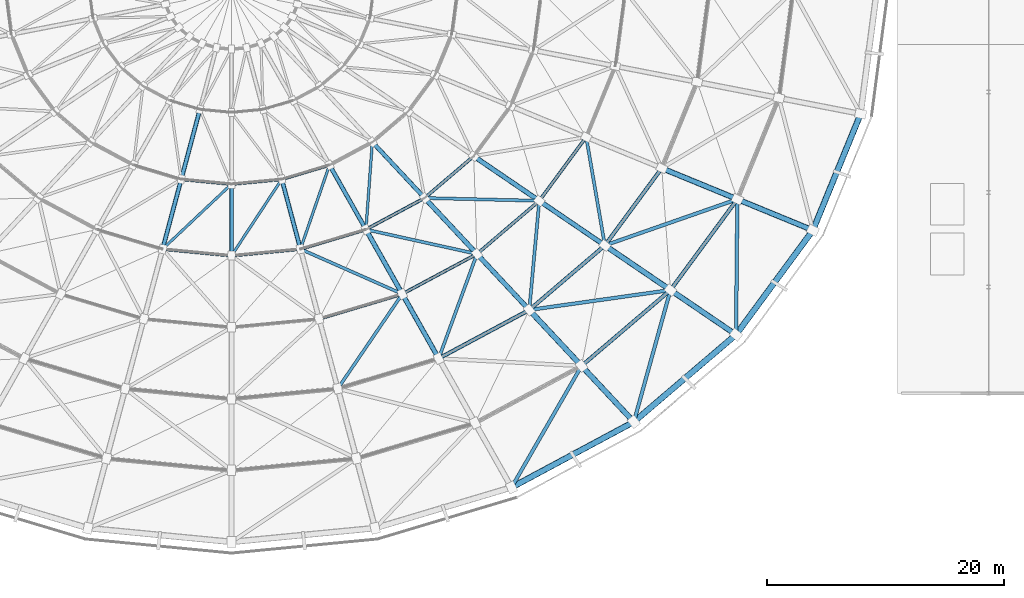
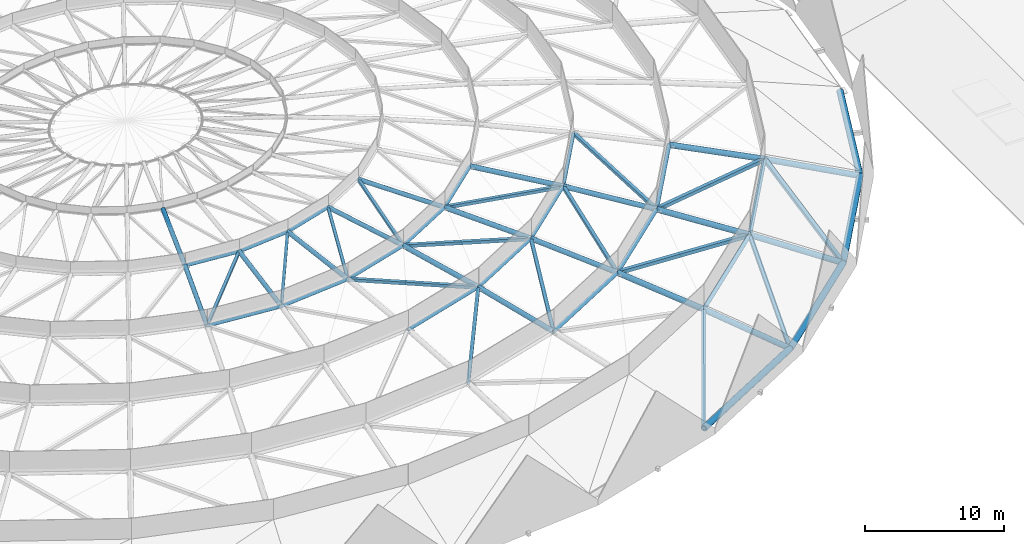
# One storey, part 9 of 27: 51 members, 4 beams.
"""IFC4 building model written with IfcOpenShell, lengths in metres."""

from ifc_helpers import new_model, si_unit, direction, frame, origin, origin_2d, place, context, subcontext, project, spatial, hollow_rectangle, hollow_circle, extrude, material, material_profile, profile_set, type_object, element, save


model = new_model("IFC4")

# Units and contexts
model_context = context("Model", 3, precision=1e-05, world=origin(), true_north=direction((0.0, 1.0)))
body_context = subcontext(model_context, "Body", "Model", "MODEL_VIEW")
ifc_project = project(units=[si_unit("LENGTHUNIT", "METRE"), si_unit("AREAUNIT", "SQUARE_METRE"), si_unit("VOLUMEUNIT", "CUBIC_METRE"), si_unit("PLANEANGLEUNIT", "RADIAN"), si_unit("MASSUNIT", "GRAM", prefix="KILO")], contexts=[model_context])

# Site, building, storey
site_placement = place(None, origin())
site = spatial("IfcSite", under=ifc_project, at=site_placement, CompositionType="ELEMENT")
building_placement = place(site_placement, origin())
building = spatial("IfcBuilding", under=site, at=building_placement, Name="Cuetzalor Civic Arena", CompositionType="ELEMENT")
storey_placement = place(building_placement, frame((0.0, 0.0, 31.800048828125)))
storey = spatial("IfcBuildingStorey", under=building, at=storey_placement, Name="Roof", CompositionType="ELEMENT", Elevation=31.800048828125)

# Members
ifc_material_1 = material(Name="Steel S355J2H", Category="steel")
ifc_material_profile_1 = material_profile(ifc_material_1, hollow_circle(Radius=0.136474609375, WallThickness=0.010009765625, at=origin_2d()), Name="CHS 273x10")
ifc_profile_set_1 = profile_set([ifc_material_profile_1], Name="Steel S355J2H")
member_type_1 = type_object("IfcMemberType", Name="DomeAnnularChord_CHS273", PredefinedType="CHORD", material=ifc_profile_set_1)
member_1_placement = place(storey_placement, frame((7.406494140625, -27.68310546875, 5.66650390625), z_axis=(0.95818823999, 0.286138597091, 0.0), x_axis=(-0.286138597091, 0.95818823999, 0.0)))
element("IfcMember", 1, at=member_1_placement, inside=storey, type_object=member_type_1, Name="Dome Roof Truss Annular Ring Chord R3-S23", PredefinedType="CHORD", context=body_context, shape_type="SweptSolid", body=[
    extrude(hollow_circle(Radius=0.136474609375, WallThickness=0.010009765625, at=origin_2d()), origin(), (0.0, 0.0, 1.0), 7.3359375),
])
member_2_placement = place(storey_placement, frame((14.439453125, -25.58251953125, 5.66650390625), z_axis=(0.881301350206, 0.472554684799, 0.0), x_axis=(-0.472554684799, 0.881301350206, 0.0)))
element("IfcMember", 2, at=member_2_placement, inside=storey, type_object=member_type_1, Name="Dome Roof Truss Annular Ring Chord R3-S24", PredefinedType="CHORD", context=body_context, shape_type="SweptSolid", body=[
    extrude(hollow_circle(Radius=0.136474609375, WallThickness=0.010009765625, at=origin_2d()), origin(), (0.0, 0.0, 1.0), 7.155029296875),
])
member_3_placement = place(storey_placement, frame((20.748291015625, -22.19921875, 5.66650390625), z_axis=(0.760693610766, 0.649111108009, 0.0), x_axis=(-0.649111108009, 0.760693610766, 0.0)))
element("IfcMember", 3, at=member_3_placement, inside=storey, type_object=member_type_1, Name="Dome Roof Truss Annular Ring Chord R3-S25", PredefinedType="CHORD", context=body_context, shape_type="SweptSolid", body=[
    extrude(hollow_circle(Radius=0.136474609375, WallThickness=0.010009765625, at=origin_2d()), origin(), (0.0, 0.0, 1.0), 6.9228515625),
])
member_4_placement = place(storey_placement, frame((26.01708984375, -17.70263671875, 5.66650390625), z_axis=(0.592932287523, 0.805252322203, 0.0), x_axis=(-0.805252322203, 0.592932287523, 0.0)))
element("IfcMember", 4, at=member_4_placement, inside=storey, type_object=member_type_1, Name="Dome Roof Truss Annular Ring Chord R3-S26", PredefinedType="CHORD", context=body_context, shape_type="SweptSolid", body=[
    extrude(hollow_circle(Radius=0.136474609375, WallThickness=0.010009765625, at=origin_2d()), origin(), (0.0, 0.0, 1.0), 6.681884765625),
])
for number, where, z_axis, x_axis, name in (
    (5, (-5.824462890625, -21.783935546875, 7.077392578125), (0.995409717316, -0.095705248933, 0.0), (0.095705248933, 0.995409717316, 0.0), "Dome Roof Truss Annular Ring Chord R4-S21"),
    (6, (0.001953125, -22.34375, 7.077392578125), (0.995409717316, 0.095705248933, 0.0), (-0.095705248933, 0.995409717316, 0.0), "Dome Roof Truss Annular Ring Chord R4-S22"),
):
    element("IfcMember", number, at=place(storey_placement, frame(where, z_axis=z_axis, x_axis=x_axis)), inside=storey, type_object=member_type_1, Name=name, PredefinedType="CHORD", context=body_context, shape_type="SweptSolid", body=[
        extrude(hollow_circle(Radius=0.136474609375, WallThickness=0.010009765625, at=origin_2d()), origin(), (0.0, 0.0, 1.0), 5.849365234375),
    ])
member_5_placement = place(storey_placement, frame((5.828369140625, -21.783203125, 7.077392578125), z_axis=(0.958196861793, 0.286109723797, 0.0), x_axis=(-0.286109723797, 0.958196861793, 0.0)))
element("IfcMember", 7, at=member_5_placement, inside=storey, type_object=member_type_1, Name="Dome Roof Truss Annular Ring Chord R4-S23", PredefinedType="CHORD", context=body_context, shape_type="SweptSolid", body=[
    extrude(hollow_circle(Radius=0.136474609375, WallThickness=0.010009765625, at=origin_2d()), origin(), (0.0, 0.0, 1.0), 5.771728515625),
])
member_6_placement = place(storey_placement, frame((11.362548828125, -20.13037109375, 7.077392578125), z_axis=(0.881303896361, 0.47254993626, 0.0), x_axis=(-0.47254993626, 0.881303896361, 0.0)))
element("IfcMember", 8, at=member_6_placement, inside=storey, type_object=member_type_1, Name="Dome Roof Truss Annular Ring Chord R4-S24", PredefinedType="CHORD", context=body_context, shape_type="SweptSolid", body=[
    extrude(hollow_circle(Radius=0.136474609375, WallThickness=0.010009765625, at=origin_2d()), origin(), (0.0, 0.0, 1.0), 5.62939453125),
])
member_7_placement = place(storey_placement, frame((16.326904296875, -17.468017578125, 7.077392578125), z_axis=(0.760688120929, 0.649117541495, 0.0), x_axis=(-0.649117541495, 0.760688120929, 0.0)))
element("IfcMember", 9, at=member_7_placement, inside=storey, type_object=member_type_1, Name="Dome Roof Truss Annular Ring Chord R4-S25", PredefinedType="CHORD", context=body_context, shape_type="SweptSolid", body=[
    extrude(hollow_circle(Radius=0.136474609375, WallThickness=0.010009765625, at=origin_2d()), origin(), (0.0, 0.0, 1.0), 5.446533203125),
])
for number, where, z_axis, x_axis, name in (
    (10, (-4.24658203125, -15.88427734375, 8.21044921875), (0.995413014388, -0.095670950595, 0.0), (0.095670950595, 0.995413014388, 0.0), "Dome Roof Truss Annular Ring Chord R5-S21"),
    (11, (0.001953125, -16.292236328125, 8.21044921875), (0.995413014388, 0.095670950595, 0.0), (-0.095670950595, 0.995413014388, 0.0), "Dome Roof Truss Annular Ring Chord R5-S22"),
):
    element("IfcMember", number, at=place(storey_placement, frame(where, z_axis=z_axis, x_axis=x_axis)), inside=storey, type_object=member_type_1, Name=name, PredefinedType="CHORD", context=body_context, shape_type="SweptSolid", body=[
        extrude(hollow_circle(Radius=0.136474609375, WallThickness=0.010009765625, at=origin_2d()), origin(), (0.0, 0.0, 1.0), 4.26416015625),
    ])
member_8_placement = place(storey_placement, frame((4.25048828125, -15.88330078125, 8.21044921875), z_axis=(0.958207143597, 0.286075287224, 0.0), x_axis=(-0.286075287224, 0.958207143597, 0.0)))
element("IfcMember", 12, at=member_8_placement, inside=storey, type_object=member_type_1, Name="Dome Roof Truss Annular Ring Chord R5-S23", PredefinedType="CHORD", context=body_context, shape_type="SweptSolid", body=[
    extrude(hollow_circle(Radius=0.136474609375, WallThickness=0.010009765625, at=origin_2d()), origin(), (0.0, 0.0, 1.0), 4.207275390625),
])
ifc_material_2 = material(Name="Steel S355J2H", Category="steel")
ifc_material_profile_2 = material_profile(ifc_material_2, hollow_circle(Radius=0.161865234375, WallThickness=0.012451171875, at=origin_2d()), Name="CHS 323.9x12.5")
ifc_profile_set_2 = profile_set([ifc_material_profile_2], Name="Steel S355J2H")
member_type_2 = type_object("IfcMemberType", Name="DomeAnnularChord_CHS323", PredefinedType="CHORD", material=ifc_profile_set_2)
member_9_placement = place(storey_placement, frame((29.59130859375, -31.66162109375, 2.11083984375), z_axis=(0.760691040158, 0.649114120493, 0.0), x_axis=(-0.649114120493, 0.760691040158, 0.0)))
element("IfcMember", 13, at=member_9_placement, inside=storey, type_object=member_type_2, Name="Dome Roof Truss Annular Ring Chord R1-S25", PredefinedType="CHORD", context=body_context, shape_type="SweptSolid", body=[
    extrude(hollow_circle(Radius=0.161865234375, WallThickness=0.012451171875, at=origin_2d()), origin(), (0.0, 0.0, 1.0), 9.874755859375),
])
member_10_placement = place(storey_placement, frame((37.105712890625, -25.248779296875, 2.11083984375), z_axis=(0.59292378617, 0.805258581943, 0.0), x_axis=(-0.805258581943, 0.59292378617, 0.0)))
element("IfcMember", 14, at=member_10_placement, inside=storey, type_object=member_type_2, Name="Dome Roof Truss Annular Ring Chord R1-S26", PredefinedType="CHORD", context=body_context, shape_type="SweptSolid", body=[
    extrude(hollow_circle(Radius=0.161865234375, WallThickness=0.012451171875, at=origin_2d()), origin(), (0.0, 0.0, 1.0), 9.53173828125),
])
member_11_placement = place(storey_placement, frame((17.516357421875, -31.034912109375, 4.004638671875), z_axis=(0.881287985767, 0.47257960826, 0.0), x_axis=(-0.47257960826, 0.881287985767, 0.0)))
element("IfcMember", 15, at=member_11_placement, inside=storey, type_object=member_type_2, Name="Dome Roof Truss Annular Ring Chord R2-S24", PredefinedType="CHORD", context=body_context, shape_type="SweptSolid", body=[
    extrude(hollow_circle(Radius=0.161865234375, WallThickness=0.012451171875, at=origin_2d()), origin(), (0.0, 0.0, 1.0), 8.6806640625),
])
member_12_placement = place(storey_placement, frame((25.169921875, -26.930419921875, 4.004638671875), z_axis=(0.760687028115, 0.649118822141, 0.0), x_axis=(-0.649118822141, 0.760687028115, 0.0)))
element("IfcMember", 16, at=member_12_placement, inside=storey, type_object=member_type_2, Name="Dome Roof Truss Annular Ring Chord R2-S25", PredefinedType="CHORD", context=body_context, shape_type="SweptSolid", body=[
    extrude(hollow_circle(Radius=0.161865234375, WallThickness=0.012451171875, at=origin_2d()), origin(), (0.0, 0.0, 1.0), 8.3984375),
])
member_13_placement = place(storey_placement, frame((31.561279296875, -21.475830078125, 4.004638671875), z_axis=(0.592922674984, 0.805259400125, 0.0), x_axis=(-0.805259400125, 0.592922674984, 0.0)))
element("IfcMember", 17, at=member_13_placement, inside=storey, type_object=member_type_2, Name="Dome Roof Truss Annular Ring Chord R2-S26", PredefinedType="CHORD", context=body_context, shape_type="SweptSolid", body=[
    extrude(hollow_circle(Radius=0.161865234375, WallThickness=0.012451171875, at=origin_2d()), origin(), (0.0, 0.0, 1.0), 8.107177734375),
])
ifc_material_3 = material(Name="Steel S355J2H", Category="steel")
ifc_material_profile_3 = material_profile(ifc_material_3, hollow_rectangle(XDim=0.219970703125, YDim=0.219970703125, WallThickness=0.010009765625, at=origin_2d()), Name="RHS 220x220x10")
ifc_profile_set_3 = profile_set([ifc_material_profile_3], Name="Steel S355J2H")
member_type_3 = type_object("IfcMemberType", Name="DomeLamellaStrut_RHS220", PredefinedType="STRUT", material=ifc_profile_set_3)
member_14_placement = place(storey_placement, frame((-5.8251953125, -21.782470703125, 7.07763671875), z_axis=(0.720562810825, 0.679088310143, 0.140101044546), x_axis=(-0.685852730665, 0.727740360183, 0.0)))
element("IfcMember", 18, at=member_14_placement, inside=storey, type_object=member_type_3, Name="Dome Roof Truss Lamella Strut R5-S21", PredefinedType="STRUT", context=body_context, shape_type="SweptSolid", body=[
    extrude(hollow_rectangle(XDim=0.219970703125, YDim=0.219970703125, WallThickness=0.010009765625, at=origin_2d()), origin(), (0.0, 0.0, 1.0), 8.082275390625),
])
member_15_placement = place(storey_placement, frame((0.001220703125, -22.34228515625, 7.07763671875), z_axis=(0.543663648275, 0.826686340977, 0.144981140795), x_axis=(-0.835514032454, 0.549469108842, 0.0)))
element("IfcMember", 19, at=member_15_placement, inside=storey, type_object=member_type_3, Name="Dome Roof Truss Lamella Strut R5-S22", PredefinedType="STRUT", context=body_context, shape_type="SweptSolid", body=[
    extrude(hollow_rectangle(XDim=0.219970703125, YDim=0.219970703125, WallThickness=0.010009765625, at=origin_2d()), origin(), (0.0, 0.0, 1.0), 7.81005859375),
])
member_16_placement = place(storey_placement, frame((5.8271484375, -21.781982421875, 7.07763671875), z_axis=(0.323222124319, 0.934516770173, 0.149016323319), x_axis=(-0.945068711711, 0.326871733474, 0.0)))
element("IfcMember", 20, at=member_16_placement, inside=storey, type_object=member_type_3, Name="Dome Roof Truss Lamella Strut R5-S23", PredefinedType="STRUT", context=body_context, shape_type="SweptSolid", body=[
    extrude(hollow_rectangle(XDim=0.219970703125, YDim=0.219970703125, WallThickness=0.010009765625, at=origin_2d()), origin(), (0.0, 0.0, 1.0), 7.5986328125),
])
member_17_placement = place(storey_placement, frame((11.36083984375, -20.129150390625, 7.07763671875), z_axis=(0.072443074529, 0.985864250756, 0.151075080784), x_axis=(-0.997311097231, 0.073284209352, 0.0)))
element("IfcMember", 21, at=member_17_placement, inside=storey, type_object=member_type_3, Name="Dome Roof Truss Lamella Strut R5-S24", PredefinedType="STRUT", context=body_context, shape_type="SweptSolid", body=[
    extrude(hollow_rectangle(XDim=0.219970703125, YDim=0.219970703125, WallThickness=0.010009765625, at=origin_2d()), origin(), (0.0, 0.0, 1.0), 7.4951171875),
])
ifc_material_4 = material(Name="Steel S355J2H", Category="steel")
ifc_material_profile_4 = material_profile(ifc_material_4, hollow_rectangle(XDim=0.260009765625, YDim=0.260009765625, WallThickness=0.012451171875, at=origin_2d()), Name="RHS 260x260x12.5")
ifc_profile_set_4 = profile_set([ifc_material_profile_4], Name="Steel S355J2H")
member_type_4 = type_object("IfcMemberType", Name="DomeLamellaStrut_RHS260", PredefinedType="STRUT", material=ifc_profile_set_4)
member_18_placement = place(storey_placement, frame((8.983642578125, -33.581787109375, 4.0048828125), z_axis=(0.555263009598, 0.81428630474, 0.169176842638), x_axis=(-0.826195321964, 0.563383785677, 0.0)))
element("IfcMember", 22, at=member_18_placement, inside=storey, type_object=member_type_4, Name="Dome Roof Truss Lamella Strut R3-S23", PredefinedType="STRUT", context=body_context, shape_type="SweptSolid", body=[
    extrude(hollow_rectangle(XDim=0.260009765625, YDim=0.260009765625, WallThickness=0.012451171875, at=origin_2d()), origin(), (0.0, 0.0, 1.0), 9.8203125),
])
member_19_placement = place(storey_placement, frame((17.515380859375, -31.033935546875, 4.0048828125), z_axis=(0.338310623658, 0.924812854243, 0.173974442227), x_axis=(-0.939134497519, 0.343549698835, 0.0)))
element("IfcMember", 23, at=member_19_placement, inside=storey, type_object=member_type_4, Name="Dome Roof Truss Lamella Strut R3-S24", PredefinedType="STRUT", context=body_context, shape_type="SweptSolid", body=[
    extrude(hollow_rectangle(XDim=0.260009765625, YDim=0.260009765625, WallThickness=0.012451171875, at=origin_2d()), origin(), (0.0, 0.0, 1.0), 9.549560546875),
])
member_20_placement = place(storey_placement, frame((25.168701171875, -26.9296875, 4.005126953125), z_axis=(0.090003228603, 0.980176412046, 0.176503881287), x_axis=(-0.995810695667, 0.091438823242, 0.0)))
element("IfcMember", 24, at=member_20_placement, inside=storey, type_object=member_type_4, Name="Dome Roof Truss Lamella Strut R3-S25", PredefinedType="STRUT", context=body_context, shape_type="SweptSolid", body=[
    extrude(hollow_rectangle(XDim=0.260009765625, YDim=0.260009765625, WallThickness=0.012451171875, at=origin_2d()), origin(), (0.0, 0.0, 1.0), 9.409912109375),
])
member_21_placement = place(storey_placement, frame((31.559814453125, -21.4755859375, 4.005126953125), z_axis=(-0.167376314357, 0.970052987769, 0.176018096548), x_axis=(-0.985438710469, -0.170031020432, 0.0)))
element("IfcMember", 25, at=member_21_placement, inside=storey, type_object=member_type_4, Name="Dome Roof Truss Lamella Strut R3-S26", PredefinedType="STRUT", context=body_context, shape_type="SweptSolid", body=[
    extrude(hollow_rectangle(XDim=0.260009765625, YDim=0.260009765625, WallThickness=0.012451171875, at=origin_2d()), origin(), (0.0, 0.0, 1.0), 9.435791015625),
])
member_22_placement = place(storey_placement, frame((14.435791015625, -25.582763671875, 5.666748046875), z_axis=(-0.904779745152, 0.399241504859, 0.148255973104), x_axis=(-0.403702816141, -0.914890177147, 0.0)))
element("IfcMember", 26, at=member_22_placement, inside=storey, type_object=member_type_4, Name="Dome Roof Truss Lamella Strut R4-S24", PredefinedType="STRUT", context=body_context, shape_type="SweptSolid", body=[
    extrude(hollow_rectangle(XDim=0.260009765625, YDim=0.260009765625, WallThickness=0.012451171875, at=origin_2d()), origin(), (0.0, 0.0, 1.0), 9.51318359375),
])
member_23_placement = place(storey_placement, frame((20.7451171875, -22.2001953125, 5.666748046875), z_axis=(-0.966190978198, 0.213024620304, 0.145242916499), x_axis=(-0.215307738075, -0.976546249762, 0.0)))
element("IfcMember", 27, at=member_23_placement, inside=storey, type_object=member_type_4, Name="Dome Roof Truss Lamella Strut R4-S25", PredefinedType="STRUT", context=body_context, shape_type="SweptSolid", body=[
    extrude(hollow_rectangle(XDim=0.260009765625, YDim=0.260009765625, WallThickness=0.012451171875, at=origin_2d()), origin(), (0.0, 0.0, 1.0), 9.710693359375),
])
member_24_placement = place(storey_placement, frame((26.013916015625, -17.704345703125, 5.666748046875), z_axis=(-0.989279999617, 0.024011408399, 0.144043516428), x_axis=(-0.024264453789, -0.999705574798, 0.0)))
element("IfcMember", 28, at=member_24_placement, inside=storey, type_object=member_type_4, Name="Dome Roof Truss Lamella Strut R4-S26", PredefinedType="STRUT", context=body_context, shape_type="SweptSolid", body=[
    extrude(hollow_rectangle(XDim=0.260009765625, YDim=0.260009765625, WallThickness=0.012451171875, at=origin_2d()), origin(), (0.0, 0.0, 1.0), 9.79150390625),
])
ifc_material_5 = material(Name="Steel S355J2H", Category="steel")
ifc_material_profile_5 = material_profile(ifc_material_5, hollow_rectangle(XDim=0.300048828125, YDim=0.300048828125, WallThickness=0.013916015625, at=origin_2d()), Name="RHS 300x300x14")
ifc_profile_set_5 = profile_set([ifc_material_profile_5], Name="Steel S355J2H")
member_type_5 = type_object("IfcMemberType", Name="DomeLamellaStrut_RHS300", PredefinedType="STRUT", material=ifc_profile_set_5)
member_25_placement = place(storey_placement, frame((23.66943359375, -41.9384765625, 0.000244140625), z_axis=(0.491511342188, 0.853059836288, 0.175229895318), x_axis=(-0.866466196882, 0.499235745576, 0.0)))
element("IfcMember", 29, at=member_25_placement, inside=storey, type_object=member_type_5, Name="Dome Roof Truss Lamella Strut R1-S24", PredefinedType="STRUT", context=body_context, shape_type="SweptSolid", body=[
    extrude(hollow_rectangle(XDim=0.300048828125, YDim=0.300048828125, WallThickness=0.013916015625, at=origin_2d()), origin(), (0.0, 0.0, 1.0), 12.043212890625),
])
member_26_placement = place(storey_placement, frame((34.011962890625, -36.392333984375, 0.000244140625), z_axis=(0.263100552718, 0.947909847653, 0.179568983632), x_axis=(-0.963572346338, 0.267447814297, 0.0)))
element("IfcMember", 30, at=member_26_placement, inside=storey, type_object=member_type_5, Name="Dome Roof Truss Lamella Strut R1-S25", PredefinedType="STRUT", context=body_context, shape_type="SweptSolid", body=[
    extrude(hollow_rectangle(XDim=0.300048828125, YDim=0.300048828125, WallThickness=0.013916015625, at=origin_2d()), origin(), (0.0, 0.0, 1.0), 11.752197265625),
])
member_27_placement = place(storey_placement, frame((42.64892578125, -29.021484375, 0.000244140625), z_axis=(0.009416317125, 0.983386472832, 0.181279833468), x_axis=(-0.999954159026, 0.009574959318, 0.0)))
element("IfcMember", 31, at=member_27_placement, inside=storey, type_object=member_type_5, Name="Dome Roof Truss Lamella Strut R1-S26", PredefinedType="STRUT", context=body_context, shape_type="SweptSolid", body=[
    extrude(hollow_rectangle(XDim=0.300048828125, YDim=0.300048828125, WallThickness=0.013916015625, at=origin_2d()), origin(), (0.0, 0.0, 1.0), 11.641357421875),
])
member_28_placement = place(storey_placement, frame((37.1025390625, -25.250732421875, 2.111328125), z_axis=(-0.978227289532, -0.137785257215, 0.155198559623), x_axis=(0.139475237341, -0.990225559238, 0.0)))
element("IfcMember", 32, at=member_28_placement, inside=storey, type_object=member_type_5, Name="Dome Roof Truss Lamella Strut R2-S26", PredefinedType="STRUT", context=body_context, shape_type="SweptSolid", body=[
    extrude(hollow_rectangle(XDim=0.300048828125, YDim=0.300048828125, WallThickness=0.013916015625, at=origin_2d()), origin(), (0.0, 0.0, 1.0), 12.19775390625),
])
member_29_placement = place(storey_placement, frame((42.756591796875, -17.572265625, 2.111328125), z_axis=(-0.932403407858, -0.325211604516, 0.157674656501), x_axis=(0.329331170168, -0.944214477942, 0.0)))
element("IfcMember", 33, at=member_29_placement, inside=storey, type_object=member_type_5, Name="Dome Roof Truss Lamella Strut R2-S27", PredefinedType="STRUT", context=body_context, shape_type="SweptSolid", body=[
    extrude(hollow_rectangle(XDim=0.300048828125, YDim=0.300048828125, WallThickness=0.013916015625, at=origin_2d()), origin(), (0.0, 0.0, 1.0), 12.006103515625),
])
ifc_material_6 = material(Name="Steel S355J2H", Category="steel")
ifc_material_profile_6 = material_profile(ifc_material_6, hollow_circle(Radius=0.177734375, WallThickness=0.01416015625, at=origin_2d()), Name="CHS 355.6x14.2")
ifc_profile_set_6 = profile_set([ifc_material_profile_6], Name="Steel S355J2H")
member_type_6 = type_object("IfcMemberType", Name="DomeRadialChord_CHS355", PredefinedType="CHORD", material=ifc_profile_set_6)
member_30_placement = place(storey_placement, frame((-5.825927734375, -21.781982421875, 7.07763671875), z_axis=(0.254037053741, 0.949836638464, 0.182415831437), x_axis=(-0.966045458532, 0.25837215804, 0.0)))
element("IfcMember", 34, at=member_30_placement, inside=storey, type_object=member_type_6, Name="Dome Roof Truss Radial Chord R5-S21", PredefinedType="CHORD", context=body_context, shape_type="SweptSolid", body=[
    extrude(hollow_circle(Radius=0.177734375, WallThickness=0.01416015625, at=origin_2d()), origin(), (0.0, 0.0, 1.0), 6.207275390625),
])
member_31_placement = place(storey_placement, frame((0.0, -22.342041015625, 7.07763671875), z_axis=(0.0, 0.982919321825, 0.184036971241), x_axis=(-1.0, 0.0, 0.0)))
element("IfcMember", 35, at=member_31_placement, inside=storey, type_object=member_type_6, Name="Dome Roof Truss Radial Chord R5-S22", PredefinedType="CHORD", context=body_context, shape_type="SweptSolid", body=[
    extrude(hollow_circle(Radius=0.177734375, WallThickness=0.01416015625, at=origin_2d()), origin(), (0.0, 0.0, 1.0), 6.152587890625),
])
member_32_placement = place(storey_placement, frame((5.825927734375, -21.781982421875, 7.07763671875), z_axis=(-0.254037053741, 0.949836638464, 0.182415831437), x_axis=(-0.966045458532, -0.25837215804, 0.0)))
element("IfcMember", 36, at=member_32_placement, inside=storey, type_object=member_type_6, Name="Dome Roof Truss Radial Chord R5-S23", PredefinedType="CHORD", context=body_context, shape_type="SweptSolid", body=[
    extrude(hollow_circle(Radius=0.177734375, WallThickness=0.01416015625, at=origin_2d()), origin(), (0.0, 0.0, 1.0), 6.207275390625),
])
member_33_placement = place(storey_placement, frame((11.35986328125, -20.12939453125, 7.07763671875), z_axis=(-0.483623115844, 0.856967105948, 0.178090036624), x_axis=(-0.870888965852, -0.491479815615, 0.0)))
element("IfcMember", 37, at=member_33_placement, inside=storey, type_object=member_type_6, Name="Dome Roof Truss Radial Chord R5-S24", PredefinedType="CHORD", context=body_context, shape_type="SweptSolid", body=[
    extrude(hollow_circle(Radius=0.177734375, WallThickness=0.01416015625, at=origin_2d()), origin(), (0.0, 0.0, 1.0), 6.358154296875),
])
member_34_placement = place(storey_placement, frame((16.32421875, -17.4677734375, 7.07763671875), z_axis=(-0.672587505085, 0.719668630441, 0.172345903237), x_axis=(-0.730600984463, -0.682804658377, 0.0)))
element("IfcMember", 38, at=member_34_placement, inside=storey, type_object=member_type_6, Name="Dome Roof Truss Radial Chord R5-S25", PredefinedType="CHORD", context=body_context, shape_type="SweptSolid", body=[
    extrude(hollow_circle(Radius=0.177734375, WallThickness=0.01416015625, at=origin_2d()), origin(), (0.0, 0.0, 1.0), 6.570068359375),
])
member_35_placement = place(storey_placement, frame((-4.248046875, -15.882080078125, 8.210693359375), z_axis=(0.256164404752, 0.957642472873, 0.131532094514), x_axis=(-0.966035473474, 0.258409488971, 0.0)))
element("IfcMember", 39, at=member_35_placement, inside=storey, type_object=member_type_6, Name="Dome Roof Truss Radial Chord R6-S21", PredefinedType="CHORD", context=body_context, shape_type="SweptSolid", body=[
    extrude(hollow_circle(Radius=0.177734375, WallThickness=0.01416015625, at=origin_2d()), origin(), (0.0, 0.0, 1.0), 6.15673828125),
])
ifc_material_7 = material(Name="Steel S355J2H", Category="steel")
ifc_material_profile_7 = material_profile(ifc_material_7, hollow_circle(Radius=0.202880859375, WallThickness=0.01611328125, at=origin_2d()), Name="CHS 406x16")
ifc_profile_set_7 = profile_set([ifc_material_profile_7], Name="Steel S355J2H")
member_type_7 = type_object("IfcMemberType", Name="DomeRadialChord_CHS406", PredefinedType="CHORD", material=ifc_profile_set_7)
member_36_placement = place(storey_placement, frame((17.513671875, -31.033935546875, 4.005126953125), z_axis=(-0.475026733206, 0.841734547971, 0.256578552283), x_axis=(-0.870888965852, -0.491479815615, 0.0)))
element("IfcMember", 40, at=member_36_placement, inside=storey, type_object=member_type_7, Name="Dome Roof Truss Radial Chord R3-S24", PredefinedType="CHORD", context=body_context, shape_type="SweptSolid", body=[
    extrude(hollow_circle(Radius=0.202880859375, WallThickness=0.01611328125, at=origin_2d()), origin(), (0.0, 0.0, 1.0), 6.47314453125),
])
member_37_placement = place(storey_placement, frame((25.1669921875, -26.930419921875, 4.005126953125), z_axis=(-0.661334530515, 0.707703585116, 0.248580518873), x_axis=(-0.730637390049, -0.682765702318, 0.0)))
element("IfcMember", 41, at=member_37_placement, inside=storey, type_object=member_type_7, Name="Dome Roof Truss Radial Chord R3-S25", PredefinedType="CHORD", context=body_context, shape_type="SweptSolid", body=[
    extrude(hollow_circle(Radius=0.202880859375, WallThickness=0.01611328125, at=origin_2d()), origin(), (0.0, 0.0, 1.0), 6.681396484375),
])
member_38_placement = place(storey_placement, frame((31.55859375, -21.476318359375, 4.005126953125), z_axis=(-0.802453342906, 0.546093947858, 0.240520337128), x_axis=(-0.562609867277, -0.826722527359, 0.0)))
element("IfcMember", 42, at=member_38_placement, inside=storey, type_object=member_type_7, Name="Dome Roof Truss Radial Chord R3-S26", PredefinedType="CHORD", context=body_context, shape_type="SweptSolid", body=[
    extrude(hollow_circle(Radius=0.202880859375, WallThickness=0.01611328125, at=origin_2d()), origin(), (0.0, 0.0, 1.0), 6.905517578125),
])
member_39_placement = place(storey_placement, frame((14.436767578125, -25.581787109375, 5.666748046875), z_axis=(-0.479436916899, 0.849587340077, 0.219867219691), x_axis=(-0.870898391186, -0.491463113804, 0.0)))
element("IfcMember", 43, at=member_39_placement, inside=storey, type_object=member_type_7, Name="Dome Roof Truss Radial Chord R4-S24", PredefinedType="CHORD", context=body_context, shape_type="SweptSolid", body=[
    extrude(hollow_circle(Radius=0.202880859375, WallThickness=0.01611328125, at=origin_2d()), origin(), (0.0, 0.0, 1.0), 6.41357421875),
])
member_40_placement = place(storey_placement, frame((20.74560546875, -22.19921875, 5.666748046875), z_axis=(-0.667112883758, 0.713887083961, 0.212898172086), x_axis=(-0.730637390049, -0.682765702318, 0.0)))
element("IfcMember", 44, at=member_40_placement, inside=storey, type_object=member_type_7, Name="Dome Roof Truss Radial Chord R4-S25", PredefinedType="CHORD", context=body_context, shape_type="SweptSolid", body=[
    extrude(hollow_circle(Radius=0.202880859375, WallThickness=0.01611328125, at=origin_2d()), origin(), (0.0, 0.0, 1.0), 6.62353515625),
])
member_41_placement = place(storey_placement, frame((26.01416015625, -17.703125, 5.666748046875), z_axis=(-0.809015458143, 0.550548279477, 0.205889728861), x_axis=(-0.562601913678, -0.826727939969, 0.0)))
element("IfcMember", 45, at=member_41_placement, inside=storey, type_object=member_type_7, Name="Dome Roof Truss Radial Chord R4-S26", PredefinedType="CHORD", context=body_context, shape_type="SweptSolid", body=[
    extrude(hollow_circle(Radius=0.202880859375, WallThickness=0.01611328125, at=origin_2d()), origin(), (0.0, 0.0, 1.0), 6.84912109375),
])
ifc_material_8 = material(Name="Steel S355J2H", Category="steel")
ifc_material_profile_8 = material_profile(ifc_material_8, hollow_circle(Radius=0.228515625, WallThickness=0.01611328125, at=origin_2d()), Name="CHS 457x16")
ifc_profile_set_8 = profile_set([ifc_material_profile_8], Name="Steel S355J2H")
member_type_8 = type_object("IfcMemberType", Name="DomeRadialChord_CHS457", PredefinedType="CHORD", material=ifc_profile_set_8)
member_42_placement = place(storey_placement, frame((34.010009765625, -36.392822265625, 0.00048828125), z_axis=(-0.649140383571, 0.694654453229, 0.309954759645), x_axis=(-0.730637390049, -0.682765702318, 0.0)))
element("IfcMember", 46, at=member_42_placement, inside=storey, type_object=member_type_8, Name="Dome Roof Truss Radial Chord R1-S25", PredefinedType="CHORD", context=body_context, shape_type="SweptSolid", body=[
    extrude(hollow_circle(Radius=0.228515625, WallThickness=0.01611328125, at=origin_2d()), origin(), (0.0, 0.0, 1.0), 6.806884765625),
])
member_43_placement = place(storey_placement, frame((42.647216796875, -29.0224609375, 0.00048828125), z_axis=(-0.788563642301, 0.536665228189, 0.300262909621), x_axis=(-0.562626809425, -0.826710997457, 0.0)))
element("IfcMember", 47, at=member_43_placement, inside=storey, type_object=member_type_8, Name="Dome Roof Truss Radial Chord R1-S26", PredefinedType="CHORD", context=body_context, shape_type="SweptSolid", body=[
    extrude(hollow_circle(Radius=0.228515625, WallThickness=0.01611328125, at=origin_2d()), origin(), (0.0, 0.0, 1.0), 7.026611328125),
])
member_44_placement = place(storey_placement, frame((49.14599609375, -20.196533203125, 0.00048828125), z_axis=(-0.884549624943, 0.363526053088, 0.292268318056), x_axis=(-0.38012363529, -0.924935685274, 0.0)))
element("IfcMember", 48, at=member_44_placement, inside=storey, type_object=member_type_8, Name="Dome Roof Truss Radial Chord R1-S27", PredefinedType="CHORD", context=body_context, shape_type="SweptSolid", body=[
    extrude(hollow_circle(Radius=0.228515625, WallThickness=0.01611328125, at=origin_2d()), origin(), (0.0, 0.0, 1.0), 7.218994140625),
])
member_45_placement = place(storey_placement, frame((29.588623046875, -31.66162109375, 2.111572265625), z_axis=(-0.655340043808, 0.701250053507, 0.280673813238), x_axis=(-0.730618571509, -0.682785839752, 0.0)))
element("IfcMember", 49, at=member_45_placement, inside=storey, type_object=member_type_8, Name="Dome Roof Truss Radial Chord R2-S25", PredefinedType="CHORD", context=body_context, shape_type="SweptSolid", body=[
    extrude(hollow_circle(Radius=0.228515625, WallThickness=0.01611328125, at=origin_2d()), origin(), (0.0, 0.0, 1.0), 6.742919921875),
])
member_46_placement = place(storey_placement, frame((37.102783203125, -25.249267578125, 2.111572265625), z_axis=(-0.795616601594, 0.541430137981, 0.271749202307), x_axis=(-0.562601913678, -0.826727939969, 0.0)))
element("IfcMember", 50, at=member_46_placement, inside=storey, type_object=member_type_8, Name="Dome Roof Truss Radial Chord R2-S26", PredefinedType="CHORD", context=body_context, shape_type="SweptSolid", body=[
    extrude(hollow_circle(Radius=0.228515625, WallThickness=0.01611328125, at=origin_2d()), origin(), (0.0, 0.0, 1.0), 6.96435546875),
])
member_47_placement = place(storey_placement, frame((42.7568359375, -17.57080078125, 2.111572265625), z_axis=(-0.892042204151, 0.366557180387, 0.264379536878), x_axis=(-0.380080948416, -0.924953227277, 0.0)))
element("IfcMember", 51, at=member_47_placement, inside=storey, type_object=member_type_8, Name="Dome Roof Truss Radial Chord R2-S27", PredefinedType="CHORD", context=body_context, shape_type="SweptSolid", body=[
    extrude(hollow_circle(Radius=0.228515625, WallThickness=0.01611328125, at=origin_2d()), origin(), (0.0, 0.0, 1.0), 7.158447265625),
])

# Beams
ifc_material_9 = material(Name="Steel S355J2H", Category="steel")
ifc_material_profile_9 = material_profile(ifc_material_9, hollow_circle(Radius=0.25390625, WallThickness=0.02001953125, at=origin_2d()), Name="CHS 508x20")
ifc_profile_set_9 = profile_set([ifc_material_profile_9], Name="Steel S355J2H")
beam_type = type_object("IfcBeamType", Name="SteelDomeRingBeam_CHS508", PredefinedType="BEAM", material=ifc_profile_set_9)
beam_1_placement = place(storey_placement, frame((23.670166015625, -41.939208984375, 0.0), z_axis=(0.881302332023, 0.472552853733, 0.0), x_axis=(-0.472552853733, 0.881302332023, 0.0)))
element("IfcBeam", 52, at=beam_1_placement, inside=storey, type_object=beam_type, Name="Arena Dome Perimeter Tension Ring Beam S24", PredefinedType="BEAM", context=body_context, shape_type="SweptSolid", body=[
    extrude(hollow_circle(Radius=0.25390625, WallThickness=0.02001953125, at=origin_2d()), origin(), (0.0, 0.0, 1.0), 11.73193359375),
])
beam_2_placement = place(storey_placement, frame((34.012939453125, -36.39306640625, 0.0), z_axis=(0.760684946097, 0.649121262001, 0.0), x_axis=(-0.649121262001, 0.760684946097, 0.0)))
element("IfcBeam", 53, at=beam_2_placement, inside=storey, type_object=beam_type, Name="Arena Dome Perimeter Tension Ring Beam S25", PredefinedType="BEAM", context=body_context, shape_type="SweptSolid", body=[
    extrude(hollow_circle(Radius=0.25390625, WallThickness=0.02001953125, at=origin_2d()), origin(), (0.0, 0.0, 1.0), 11.35107421875),
])
beam_3_placement = place(storey_placement, frame((42.650146484375, -29.02197265625, 0.0), z_axis=(0.592928418249, 0.805255171255, 0.0), x_axis=(-0.805255171255, 0.592928418249, 0.0)))
element("IfcBeam", 54, at=beam_3_placement, inside=storey, type_object=beam_type, Name="Arena Dome Perimeter Tension Ring Beam S26", PredefinedType="BEAM", context=body_context, shape_type="SweptSolid", body=[
    extrude(hollow_circle(Radius=0.25390625, WallThickness=0.02001953125, at=origin_2d()), origin(), (0.0, 0.0, 1.0), 10.956787109375),
])
beam_4_placement = place(storey_placement, frame((49.148681640625, -20.1953125, 0.0), z_axis=(0.379375892559, 0.925242634202, 0.0), x_axis=(-0.925242634202, 0.379375892559, 0.0)))
element("IfcBeam", 55, at=beam_4_placement, inside=storey, type_object=beam_type, Name="Arena Dome Perimeter Tension Ring Beam S27", PredefinedType="BEAM", context=body_context, shape_type="SweptSolid", body=[
    extrude(hollow_circle(Radius=0.25390625, WallThickness=0.02001953125, at=origin_2d()), origin(), (0.0, 0.0, 1.0), 10.6298828125),
])

save(model, "model.ifc")
